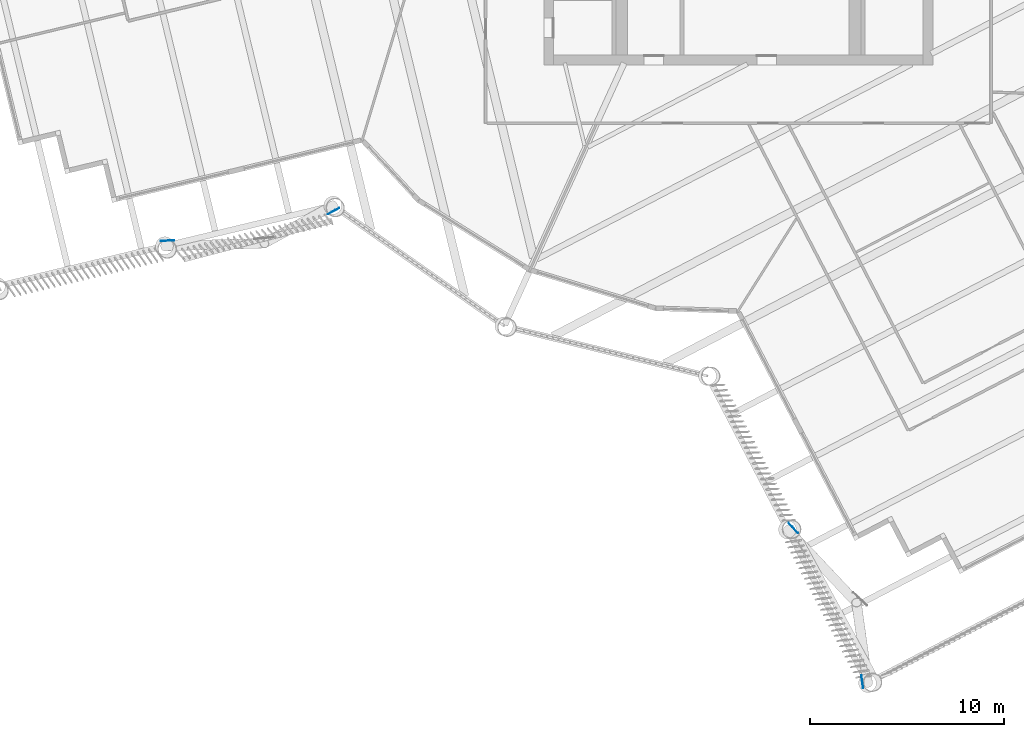
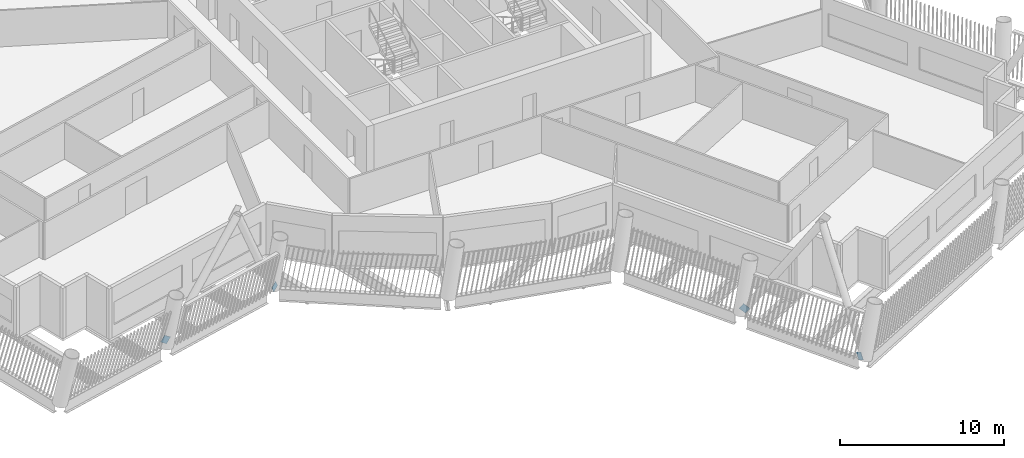
# One storey, part 11 of 22: 4 discrete accessories.
"""IFC4 building model written with IfcOpenShell, lengths in metres."""

from ifc_helpers import new_model, si_unit, direction, frame, origin, origin_2d, place, context, subcontext, project, spatial, rectangle, extrude, material, material_profile, profile_set, type_object, element, save


model = new_model("IFC4")

# Units and contexts
model_context = context("Model", 3, precision=1e-05, world=origin(), true_north=direction((0.0, 1.0)))
body_context = subcontext(model_context, "Body", "Model", "MODEL_VIEW")
ifc_project = project(units=[si_unit("LENGTHUNIT", "METRE"), si_unit("AREAUNIT", "SQUARE_METRE"), si_unit("VOLUMEUNIT", "CUBIC_METRE"), si_unit("PLANEANGLEUNIT", "RADIAN"), si_unit("MASSUNIT", "GRAM", prefix="KILO")], contexts=[model_context])

# Site, building, storey
site_placement = place(None, origin())
site = spatial("IfcSite", under=ifc_project, at=site_placement, CompositionType="ELEMENT")
building_placement = place(site_placement, origin())
building = spatial("IfcBuilding", under=site, at=building_placement, Name="Tarsis Ring Headquarters", CompositionType="ELEMENT")
storey_placement = place(building_placement, frame((0.0, 0.0, 339.199951171875)))
storey = spatial("IfcBuildingStorey", under=building, at=storey_placement, Name="L80", CompositionType="ELEMENT", Elevation=339.199951171875)

# Discrete accessories
ifc_material = material(Name="Structural steel S355", Category="steel")
ifc_material_profile = material_profile(ifc_material, rectangle(XDim=0.02490234375, YDim=0.5, at=origin_2d()), Name="PL 25x500")
ifc_profile_set = profile_set([ifc_material_profile], Name="Structural steel S355")
discrete_accessory_type = type_object("IfcDiscreteAccessoryType", Name="Gusset plate Exo brace 25", PredefinedType="BRACKET", material=ifc_profile_set)
for number, where, z_axis, x_axis, name in (
    (1, (2.7314453125, -36.718017578125, 0.0), (0.377878472959, -0.401312796863, 0.834359574014), (0.728043960923, 0.685530444957, 0.0), "Gusset plate GP5"),
    (2, (6.38671875, -44.83251953125, 0.0), (-0.064932961791, 0.468200829757, 0.88123305288), (-0.990519619478, -0.137371334088, 0.0), "Gusset plate GP5"),
    (3, (-29.505615234375, -22.04833984375, 0.0), (0.548422878955, 0.015139010906, 0.836064086172), (-0.027594118881, 0.999619209801, 0.0), "Gusset plate GP5"),
    (4, (-20.71484375, -20.467041015625, 0.0), (-0.402818057773, -0.221183733541, 0.88815278435), (0.481306835277, -0.876552183452, 0.0), "Gusset plate GP5"),
):
    element("IfcDiscreteAccessory", number, at=place(storey_placement, frame(where, z_axis=z_axis, x_axis=x_axis)), inside=storey, type_object=discrete_accessory_type, Name=name, PredefinedType="BRACKET", context=body_context, shape_type="SweptSolid", body=[
        extrude(rectangle(XDim=0.02490234375, YDim=0.5, at=origin_2d()), origin(), (0.0, 0.0, 1.0), 0.5),
    ])

save(model, "model.ifc")
